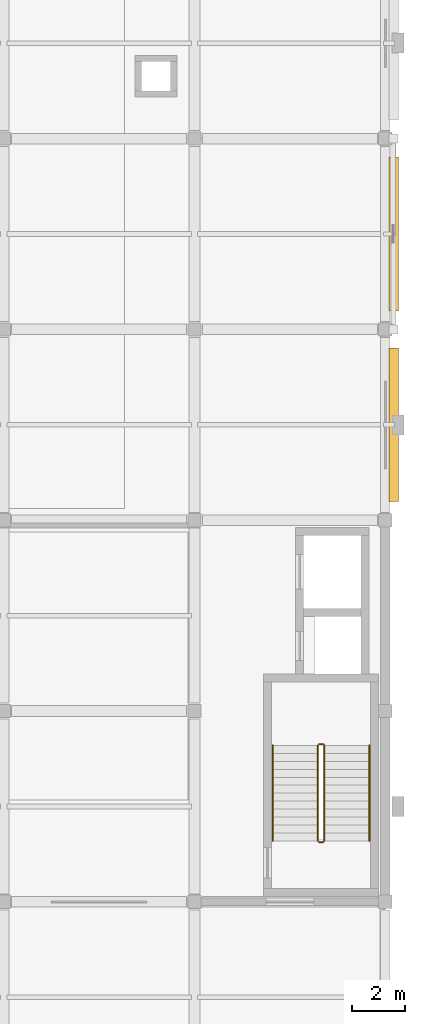
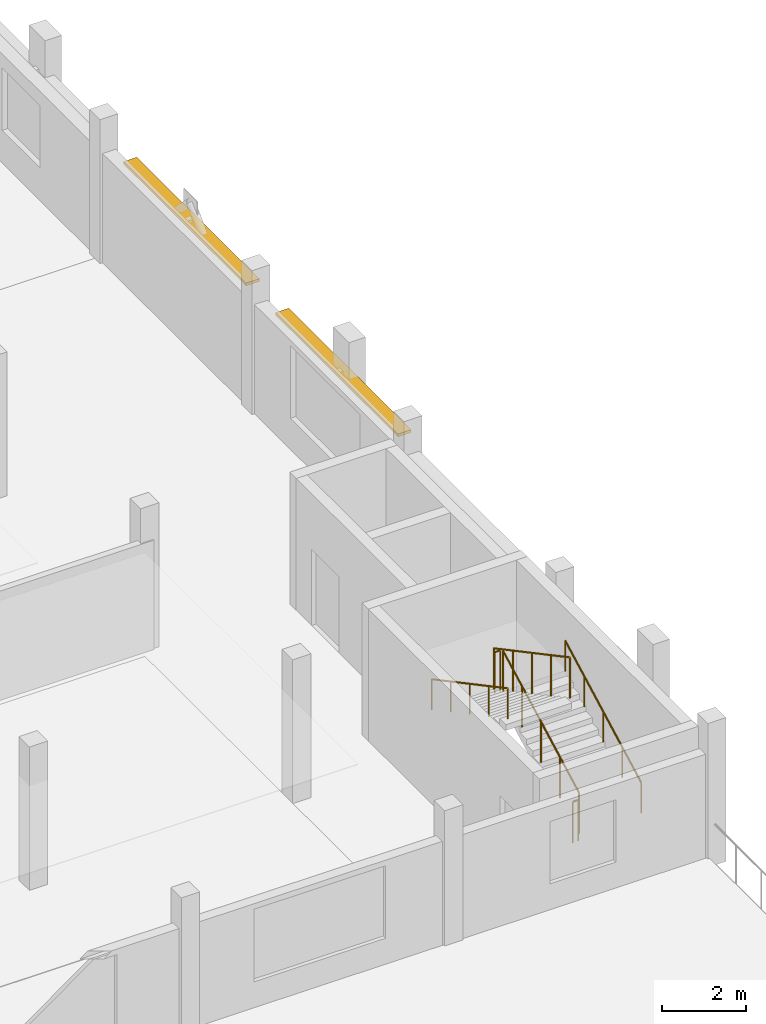
# One storey, part 32 of 33: 6 railings, 2 shading devices.
"""IFC4 building model written with IfcOpenShell, lengths in metres."""

from ifc_helpers import new_model, si_unit, direction, frame, origin, origin_2d, place, context, subcontext, project, spatial, rectangle, circle, extrude, material, layer, layer_set, type_object, element, save


model = new_model("IFC4")

# Units and contexts
model_context = context("Model", 3, precision=1e-05, world=origin(), true_north=direction((0.0, 1.0)))
body_context = subcontext(model_context, "Body", "Model", "MODEL_VIEW")
ifc_project = project(units=[si_unit("LENGTHUNIT", "METRE"), si_unit("AREAUNIT", "SQUARE_METRE"), si_unit("VOLUMEUNIT", "CUBIC_METRE"), si_unit("PLANEANGLEUNIT", "RADIAN"), si_unit("MASSUNIT", "GRAM", prefix="KILO")], contexts=[model_context])

# Site, building, storey
site_placement = place(None, origin())
site = spatial("IfcSite", under=ifc_project, at=site_placement, CompositionType="ELEMENT")
building_placement = place(site_placement, origin())
building = spatial("IfcBuilding", under=site, at=building_placement, Name="Valkovuoma Quantum and Materials Research Institute", CompositionType="ELEMENT")
storey_placement = place(building_placement, frame((0.0, 0.0, 21.43994140625)))
storey = spatial("IfcBuildingStorey", under=building, at=storey_placement, Name="L05", CompositionType="ELEMENT", Elevation=21.43994140625)

# Railings
ifc_material_1 = material(Name="Painted steel stair balustrade", Category="steel")
railing_type_1 = type_object("IfcRailingType", Name="Rail-GRD-ST", PredefinedType="BALUSTRADE", material=ifc_material_1)
railing_1_placement = place(storey_placement, frame((163.300048828125, 59.89990234375, 0.16015625)))
element("IfcRailing", 1, at=railing_1_placement, inside=storey, type_object=railing_type_1, Name="L05 ST-3 stair guard 1", PredefinedType="BALUSTRADE", context=body_context, shape_type="SweptSolid", body=[
    extrude(circle(Radius=0.02392578125, at=origin_2d()), frame((0.0, 0.0, 1.17578125), z_axis=(0.0, 0.882366192074, 0.470563389019), x_axis=(-1.0, 0.0, 0.0)), (0.0, 0.0, 1.0), 4.080078125),
    extrude(circle(Radius=0.02099609375, at=origin_2d()), origin(), (0.0, 0.0, 1.0), 1.15185546875),
    extrude(circle(Radius=0.02099609375, at=origin_2d()), frame((0.0, 0.89990234375, 0.47998046875)), (0.0, 0.0, 1.0), 1.15185546875),
    extrude(circle(Radius=0.02099609375, at=origin_2d()), frame((0.0, 1.800048828125, 0.9599609375)), (0.0, 0.0, 1.0), 1.15185546875),
    extrude(circle(Radius=0.02099609375, at=origin_2d()), frame((0.0, 2.7001953125, 1.43994140625)), (0.0, 0.0, 1.0), 1.15185546875),
    extrude(circle(Radius=0.02099609375, at=origin_2d()), frame((0.0, 3.60009765625, 1.919921875)), (0.0, 0.0, 1.0), 1.15185546875),
])
railing_2_placement = place(storey_placement, frame((163.25, 63.550048828125, 2.080078125)))
element("IfcRailing", 2, at=railing_2_placement, inside=storey, type_object=railing_type_1, Name="L05 ST-3 stair guard 2", PredefinedType="BALUSTRADE", context=body_context, shape_type="SweptSolid", body=[
    extrude(circle(Radius=0.02392578125, at=origin_2d()), frame((0.0, 0.0, 1.17578125), z_axis=(-1.0, 0.0, 0.0), x_axis=(0.0, -1.0, 0.0)), (0.0, 0.0, 1.0), 0.14990234375),
    extrude(circle(Radius=0.02099609375, at=origin_2d()), origin(), (0.0, 0.0, 1.0), 1.15185546875),
    extrude(circle(Radius=0.02099609375, at=origin_2d()), frame((-0.14990234375, 0.0, 0.0)), (0.0, 0.0, 1.0), 1.15185546875),
])
railing_3_placement = place(storey_placement, frame((163.050048828125, 63.5, 2.239990234375)))
element("IfcRailing", 3, at=railing_3_placement, inside=storey, type_object=railing_type_1, Name="L05 ST-3 stair guard 3", PredefinedType="BALUSTRADE", context=body_context, shape_type="SweptSolid", body=[
    extrude(circle(Radius=0.02392578125, at=origin_2d()), frame((0.0, 0.0, 1.17578125), z_axis=(0.0, -0.882341346394, 0.470609974867), x_axis=(1.0, 0.0, 0.0)), (0.0, 0.0, 1.0), 4.080078125),
    extrude(circle(Radius=0.02099609375, at=origin_2d()), origin(), (0.0, 0.0, 1.0), 1.15185546875),
    extrude(circle(Radius=0.02099609375, at=origin_2d()), frame((0.0, -0.89990234375, 0.47998046875)), (0.0, 0.0, 1.0), 1.15185546875),
    extrude(circle(Radius=0.02099609375, at=origin_2d()), frame((0.0, -1.800048828125, 0.9599609375)), (0.0, 0.0, 1.0), 1.15185546875),
    extrude(circle(Radius=0.02099609375, at=origin_2d()), frame((0.0, -2.7001953125, 1.440185546875)), (0.0, 0.0, 1.0), 1.15185546875),
    extrude(circle(Radius=0.02099609375, at=origin_2d()), frame((0.0, -3.60009765625, 1.920166015625)), (0.0, 0.0, 1.0), 1.15185546875),
])
railing_4_placement = place(storey_placement, frame((163.25, 59.85009765625, 0.0)))
element("IfcRailing", 4, at=railing_4_placement, inside=storey, type_object=railing_type_1, Name="L05 ST-3 stair guard 4", PredefinedType="BALUSTRADE", context=body_context, shape_type="SweptSolid", body=[
    extrude(circle(Radius=0.02392578125, at=origin_2d()), frame((0.0, 0.0, 1.17578125), z_axis=(-1.0, 0.0, 0.0), x_axis=(0.0, -1.0, 0.0)), (0.0, 0.0, 1.0), 0.14990234375),
    extrude(circle(Radius=0.02099609375, at=origin_2d()), origin(), (0.0, 0.0, 1.0), 1.15185546875),
    extrude(circle(Radius=0.02099609375, at=origin_2d()), frame((-0.14990234375, 0.0, 0.0)), (0.0, 0.0, 1.0), 1.15185546875),
])
ifc_material_2 = material(Name="Brushed stainless steel handrail", Category="steel")
railing_type_2 = type_object("IfcRailingType", Name="Rail-HR-ST", PredefinedType="HANDRAIL", material=ifc_material_2)
railing_5_placement = place(storey_placement, frame((165.0, 59.89990234375, 0.16015625)))
element("IfcRailing", 5, at=railing_5_placement, inside=storey, type_object=railing_type_2, Name="L05 ST-3 stair handrail 1", PredefinedType="HANDRAIL", context=body_context, shape_type="SweptSolid", body=[
    extrude(circle(Radius=0.02392578125, at=origin_2d()), frame((0.0, 0.0, 0.8759765625), z_axis=(0.0, 0.882366192074, 0.470563389019), x_axis=(-1.0, 0.0, 0.0)), (0.0, 0.0, 1.0), 4.080078125),
    extrude(circle(Radius=0.02099609375, at=origin_2d()), origin(), (0.0, 0.0, 1.0), 0.851806640625),
    extrude(circle(Radius=0.02099609375, at=origin_2d()), frame((0.0, 0.89990234375, 0.47998046875)), (0.0, 0.0, 1.0), 0.851806640625),
    extrude(circle(Radius=0.02099609375, at=origin_2d()), frame((0.0, 1.800048828125, 0.9599609375)), (0.0, 0.0, 1.0), 0.851806640625),
    extrude(circle(Radius=0.02099609375, at=origin_2d()), frame((0.0, 2.7001953125, 1.43994140625)), (0.0, 0.0, 1.0), 0.851806640625),
    extrude(circle(Radius=0.02099609375, at=origin_2d()), frame((0.0, 3.60009765625, 1.919921875)), (0.0, 0.0, 1.0), 0.851806640625),
])
railing_6_placement = place(storey_placement, frame((161.35009765625, 63.5, 2.239990234375)))
element("IfcRailing", 6, at=railing_6_placement, inside=storey, type_object=railing_type_2, Name="L05 ST-3 stair handrail 2", PredefinedType="HANDRAIL", context=body_context, shape_type="SweptSolid", body=[
    extrude(circle(Radius=0.02392578125, at=origin_2d()), frame((0.0, 0.0, 0.8759765625), z_axis=(0.0, -0.882341346394, 0.470609974867), x_axis=(1.0, 0.0, 0.0)), (0.0, 0.0, 1.0), 4.080078125),
    extrude(circle(Radius=0.02099609375, at=origin_2d()), origin(), (0.0, 0.0, 1.0), 0.851806640625),
    extrude(circle(Radius=0.02099609375, at=origin_2d()), frame((0.0, -0.89990234375, 0.47998046875)), (0.0, 0.0, 1.0), 0.851806640625),
    extrude(circle(Radius=0.02099609375, at=origin_2d()), frame((0.0, -1.800048828125, 0.9599609375)), (0.0, 0.0, 1.0), 0.851806640625),
    extrude(circle(Radius=0.02099609375, at=origin_2d()), frame((0.0, -2.7001953125, 1.440185546875)), (0.0, 0.0, 1.0), 0.851806640625),
    extrude(circle(Radius=0.02099609375, at=origin_2d()), frame((0.0, -3.60009765625, 1.920166015625)), (0.0, 0.0, 1.0), 0.851806640625),
])

# Shading devices
ifc_material_3 = material(Name="Powder-coated white perforated architectural aluminium panel", Category="aluminium")
ifc_layer_1 = layer(ifc_material_3, 0.050048828125)
ifc_layer_set_1 = layer_set([ifc_layer_1], Name="Powder-coated white perforated architectural aluminium panel")
shading_device_type_1 = type_object("IfcShadingDeviceType", Name="Screen-SCR-DENSE", PredefinedType="JALOUSIE", material=ifc_layer_set_1)
shading_device_1_placement = place(storey_placement, frame((165.919921875, 75.60009765625, 3.010009765625), z_axis=(0.0, 0.0, 1.0), x_axis=(1.0, 0.0, 0.0)))
element("IfcShadingDevice", 7, at=shading_device_1_placement, inside=storey, type_object=shading_device_type_1, Name="L05 wet-lab solar sunshade E-0093", PredefinedType="JALOUSIE", context=body_context, shape_type="SweptSolid", body=[
    extrude(rectangle(XDim=0.360107421875, YDim=5.800048828125, at=origin_2d()), origin(), (0.0, 0.0, 1.0), 0.080078125),
])
ifc_material_4 = material(Name="Powder-coated white perforated architectural aluminium panel", Category="aluminium")
ifc_layer_2 = layer(ifc_material_4, 0.050048828125)
ifc_layer_set_2 = layer_set([ifc_layer_2], Name="Powder-coated white perforated architectural aluminium panel")
shading_device_type_2 = type_object("IfcShadingDeviceType", Name="Screen-SCR-MID", PredefinedType="JALOUSIE", material=ifc_layer_set_2)
shading_device_2_placement = place(storey_placement, frame((165.919921875, 82.800048828125, 3.010009765625), z_axis=(0.0, 0.0, 1.0), x_axis=(1.0, 0.0, 0.0)))
element("IfcShadingDevice", 8, at=shading_device_2_placement, inside=storey, type_object=shading_device_type_2, Name="L05 wet-lab solar sunshade E-0095", PredefinedType="JALOUSIE", context=body_context, shape_type="SweptSolid", body=[
    extrude(rectangle(XDim=0.360107421875, YDim=5.800048828125, at=origin_2d()), origin(), (0.0, 0.0, 1.0), 0.080078125),
])

save(model, "model.ifc")
